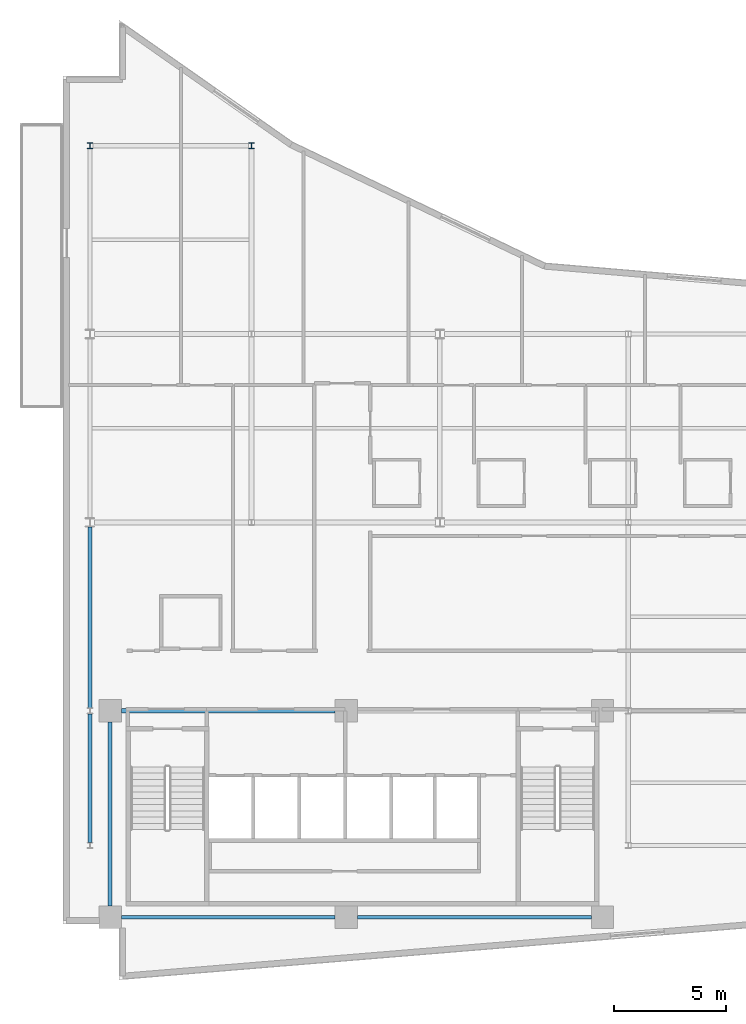
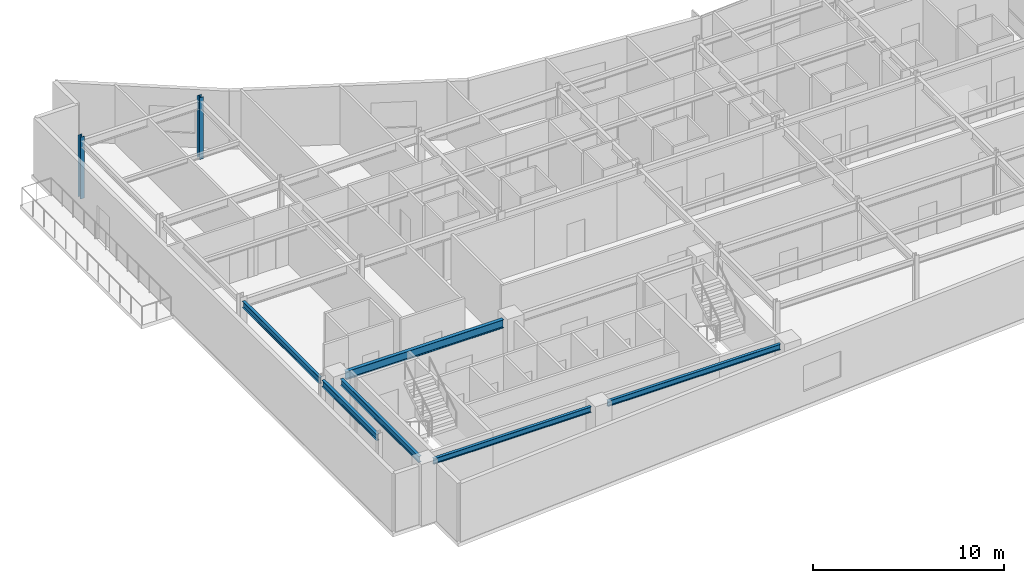
# One storey, part 3 of 16: 6 beams, 2 columns.
"""IFC4 building model written with IfcOpenShell, lengths in metres."""

from ifc_helpers import new_model, si_unit, direction, frame, origin, origin_2d, place, context, subcontext, project, spatial, i_section, extrude, material, material_profile, profile_set, type_object, element, save


model = new_model("IFC4")

# Units and contexts
model_context = context("Model", 3, precision=1e-05, world=origin(), true_north=direction((0.0, 1.0)))
body_context = subcontext(model_context, "Body", "Model", "MODEL_VIEW")
ifc_project = project(units=[si_unit("LENGTHUNIT", "METRE"), si_unit("AREAUNIT", "SQUARE_METRE"), si_unit("VOLUMEUNIT", "CUBIC_METRE"), si_unit("PLANEANGLEUNIT", "RADIAN"), si_unit("MASSUNIT", "GRAM", prefix="KILO")], contexts=[model_context])

# Site, building, storey
site_placement = place(None, origin())
site = spatial("IfcSite", under=ifc_project, at=site_placement, CompositionType="ELEMENT")
building_placement = place(site_placement, origin())
building = spatial("IfcBuilding", under=site, at=building_placement, Name="Varnakote Quay Hospital", CompositionType="ELEMENT")
storey_placement = place(building_placement, frame((0.0, 0.0, 223.699951171875)))
storey = spatial("IfcBuildingStorey", under=building, at=storey_placement, Name="L55", CompositionType="ELEMENT", Elevation=223.699951171875)

# Columns
ifc_material_1 = material(Name="Structural steel AS/NZS 3679.1 Grade 350 L0 (fy 340 MPa)", Category="steel")
ifc_material_profile_1 = material_profile(ifc_material_1, i_section(OverallWidth=0.256103515625, OverallDepth=0.260009765625, WebThickness=0.010498046875, FlangeThickness=0.017333984375, FilletRadius=0.0126953125, at=origin_2d()), Name="250UC89.5")
ifc_profile_set_1 = profile_set([ifc_material_profile_1], Name="Structural steel AS/NZS 3679.1 Grade 350 L0 (fy 340 MPa)")
column_type = type_object("IfcColumnType", Name="COL-STL-250UC89-5", PredefinedType="COLUMN", material=ifc_profile_set_1)
for number, where, z_axis, x_axis, name in (
    (1, (1.199951171875, 37.199951171875, 0.0), (0.0, 0.0, 1.0), (1.0, 0.0, 0.0), "L55 Structural Column C-1-37"),
    (2, (8.39990234375, 37.199951171875, 0.0), (0.0, 0.0, 1.0), (1.0, 0.0, 0.0), "L55 Structural Column C-8-37"),
):
    element("IfcColumn", number, at=place(storey_placement, frame(where, z_axis=z_axis, x_axis=x_axis)), inside=storey, type_object=column_type, Name=name, PredefinedType="COLUMN", context=body_context, shape_type="SweptSolid", body=[
        extrude(i_section(OverallWidth=0.256103515625, OverallDepth=0.260009765625, WebThickness=0.010498046875, FlangeThickness=0.017333984375, FilletRadius=0.0126953125, at=origin_2d()), origin(), (0.0, 0.0, 1.0), 3.949951171875),
    ])

# Beams
ifc_material_2 = material(Name="Structural steel AS/NZS 3679.1 Grade 350 L0 (fy 340 MPa)", Category="steel")
ifc_material_profile_2 = material_profile(ifc_material_2, i_section(OverallWidth=0.208984375, OverallDepth=0.532958984375, WebThickness=0.01025390625, FlangeThickness=0.015625, FilletRadius=0.013916015625, at=origin_2d()), Name="530UB92.4")
ifc_profile_set_2 = profile_set([ifc_material_profile_2], Name="Structural steel AS/NZS 3679.1 Grade 350 L0 (fy 340 MPa)")
beam_type_1 = type_object("IfcBeamType", Name="BM-STL-530UB92-4", PredefinedType="BEAM", material=ifc_profile_set_2)
beam_1_placement = place(storey_placement, frame((2.60009765625, 12.0, 3.443603515625), z_axis=(1.0, 0.0, 0.0), x_axis=(0.0, 1.0, 0.0)))
element("IfcBeam", 3, at=beam_1_placement, inside=storey, type_object=beam_type_1, Name="L55 Primary Floor Beam", PredefinedType="BEAM", context=body_context, shape_type="SweptSolid", body=[
    extrude(i_section(OverallWidth=0.208984375, OverallDepth=0.532958984375, WebThickness=0.01025390625, FlangeThickness=0.015625, FilletRadius=0.013916015625, at=origin_2d()), origin(), (0.0, 0.0, 1.0), 9.52001953125),
])
ifc_material_3 = material(Name="Structural steel AS/NZS 3679.1 Grade 350 L0 (fy 340 MPa)", Category="steel")
ifc_material_profile_3 = material_profile(ifc_material_3, i_section(OverallWidth=0.172119140625, OverallDepth=0.35888671875, WebThickness=0.008056640625, FlangeThickness=0.012939453125, FilletRadius=0.011474609375, at=origin_2d()), Name="360UB56.7")
ifc_profile_set_3 = profile_set([ifc_material_profile_3], Name="Structural steel AS/NZS 3679.1 Grade 350 L0 (fy 340 MPa)")
beam_type_2 = type_object("IfcBeamType", Name="SPN-STL-360UB56-7", PredefinedType="SPANDREL", material=ifc_profile_set_3)
beam_2_placement = place(storey_placement, frame((2.60009765625, 2.800048828125, 3.530517578125), z_axis=(1.0, 0.0, 0.0), x_axis=(0.0, 1.0, 0.0)))
element("IfcBeam", 4, at=beam_2_placement, inside=storey, type_object=beam_type_2, Name="L55 Perimeter Spandrel Beam", PredefinedType="SPANDREL", context=body_context, shape_type="SweptSolid", body=[
    extrude(i_section(OverallWidth=0.172119140625, OverallDepth=0.35888671875, WebThickness=0.008056640625, FlangeThickness=0.012939453125, FilletRadius=0.011474609375, at=origin_2d()), origin(), (0.0, 0.0, 1.0), 9.52001953125),
])
beam_3_placement = place(storey_placement, frame((13.1201171875, 2.800048828125, 3.530517578125), z_axis=(1.0, 0.0, 0.0), x_axis=(0.0, 1.0, 0.0)))
element("IfcBeam", 5, at=beam_3_placement, inside=storey, type_object=beam_type_2, Name="L55 Perimeter Spandrel Beam", PredefinedType="SPANDREL", context=body_context, shape_type="SweptSolid", body=[
    extrude(i_section(OverallWidth=0.172119140625, OverallDepth=0.35888671875, WebThickness=0.008056640625, FlangeThickness=0.012939453125, FilletRadius=0.011474609375, at=origin_2d()), origin(), (0.0, 0.0, 1.0), 10.429931640625),
])
ifc_material_4 = material(Name="Structural steel AS/NZS 3679.1 Grade 350 L0 (fy 340 MPa)", Category="steel")
ifc_material_profile_4 = material_profile(ifc_material_4, i_section(OverallWidth=0.177978515625, OverallDepth=0.403076171875, WebThickness=0.007568359375, FlangeThickness=0.010986328125, FilletRadius=0.011474609375, at=origin_2d()), Name="410UB53.7")
ifc_profile_set_4 = profile_set([ifc_material_profile_4], Name="Structural steel AS/NZS 3679.1 Grade 350 L0 (fy 340 MPa)")
beam_type_3 = type_object("IfcBeamType", Name="SPN-STL-410UB53-7", PredefinedType="SPANDREL", material=ifc_profile_set_4)
beam_4_placement = place(storey_placement, frame((1.199951171875, 6.1298828125, 3.508544921875), z_axis=(0.0, 1.0, 0.0), x_axis=(-1.0, 0.0, 0.0)))
element("IfcBeam", 6, at=beam_4_placement, inside=storey, type_object=beam_type_3, Name="L55 Perimeter Spandrel Beam", PredefinedType="SPANDREL", context=body_context, shape_type="SweptSolid", body=[
    extrude(i_section(OverallWidth=0.177978515625, OverallDepth=0.403076171875, WebThickness=0.007568359375, FlangeThickness=0.010986328125, FilletRadius=0.011474609375, at=origin_2d()), origin(), (0.0, 0.0, 1.0), 5.740234375),
])
beam_5_placement = place(storey_placement, frame((1.199951171875, 12.1298828125, 3.508544921875), z_axis=(0.0, 1.0, 0.0), x_axis=(-1.0, 0.0, 0.0)))
element("IfcBeam", 7, at=beam_5_placement, inside=storey, type_object=beam_type_3, Name="L55 Perimeter Spandrel Beam", PredefinedType="SPANDREL", context=body_context, shape_type="SweptSolid", body=[
    extrude(i_section(OverallWidth=0.177978515625, OverallDepth=0.403076171875, WebThickness=0.007568359375, FlangeThickness=0.010986328125, FilletRadius=0.011474609375, at=origin_2d()), origin(), (0.0, 0.0, 1.0), 8.068115234375),
])
beam_6_placement = place(storey_placement, frame((2.10009765625, 3.300048828125, 3.508544921875), z_axis=(0.0, 1.0, 0.0), x_axis=(-1.0, 0.0, 0.0)))
element("IfcBeam", 8, at=beam_6_placement, inside=storey, type_object=beam_type_3, Name="L55 Perimeter Spandrel Beam", PredefinedType="SPANDREL", context=body_context, shape_type="SweptSolid", body=[
    extrude(i_section(OverallWidth=0.177978515625, OverallDepth=0.403076171875, WebThickness=0.007568359375, FlangeThickness=0.010986328125, FilletRadius=0.011474609375, at=origin_2d()), origin(), (0.0, 0.0, 1.0), 8.199951171875),
])

save(model, "model.ifc")
